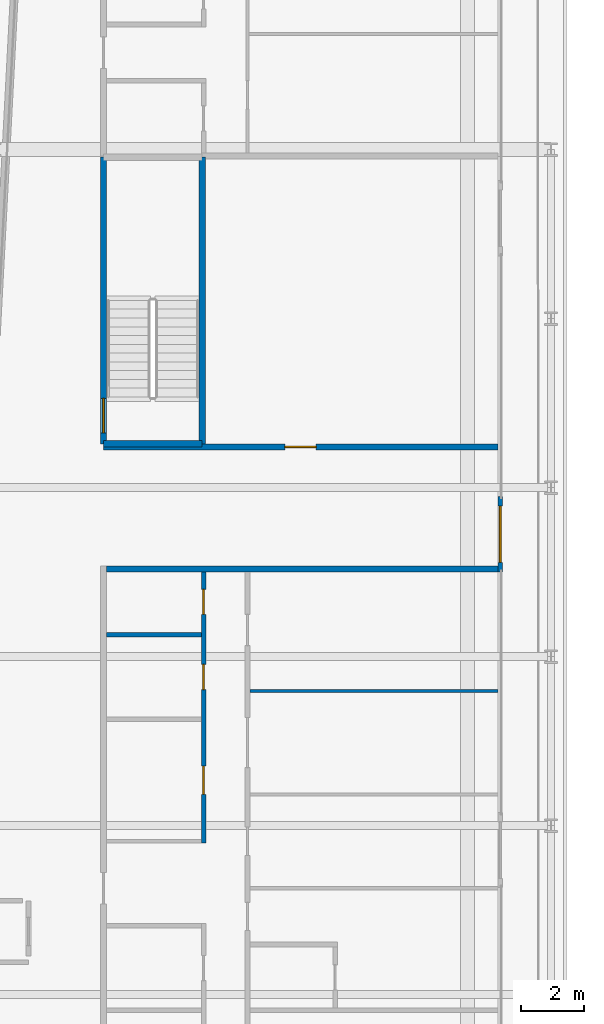
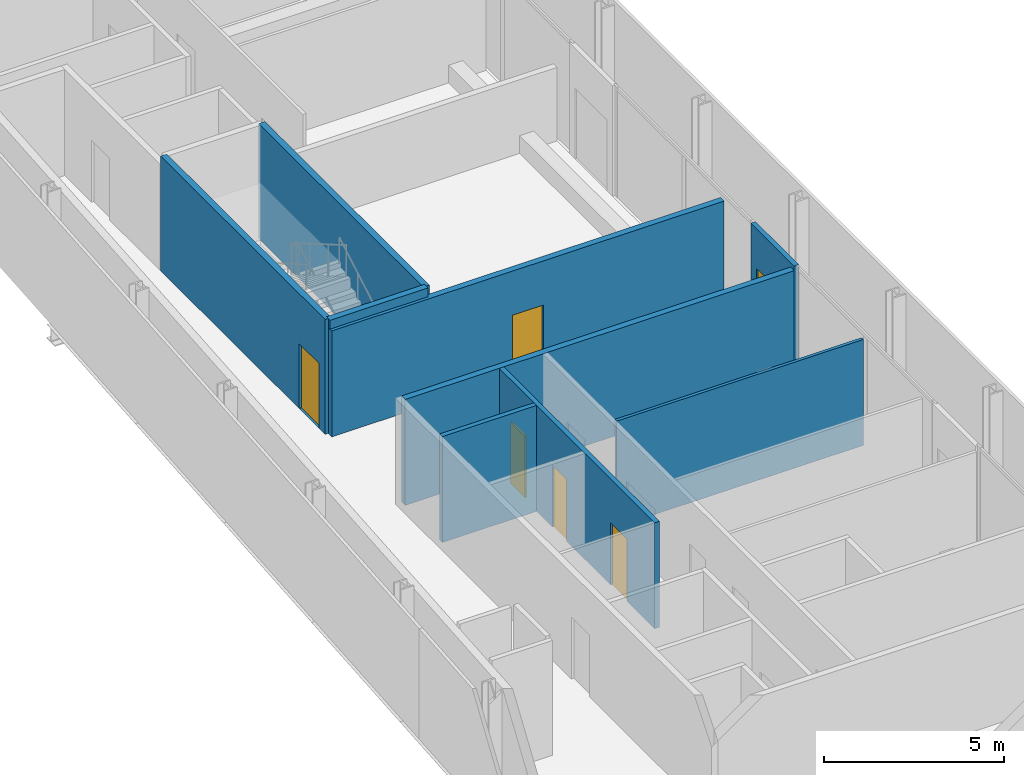
# One storey, part 19 of 29: 9 walls, 6 doors, 6 openings.
"""IFC4 building model written with IfcOpenShell, lengths in metres."""

from ifc_helpers import new_model, si_unit, direction, frame, frame_2d, origin, place, context, subcontext, project, spatial, rectangle, extrude, source, transform, mapped, material, layer, layer_set, type_object, element, fill, save


model = new_model("IFC4")

# Units and contexts
model_context = context("Model", 3, precision=1e-05, world=origin(), true_north=direction((0.0, 1.0)))
body_context = subcontext(model_context, "Body", "Model", "MODEL_VIEW")
ifc_project = project(units=[si_unit("LENGTHUNIT", "METRE"), si_unit("AREAUNIT", "SQUARE_METRE"), si_unit("VOLUMEUNIT", "CUBIC_METRE"), si_unit("PLANEANGLEUNIT", "RADIAN"), si_unit("MASSUNIT", "GRAM", prefix="KILO")], contexts=[model_context])

# Site, building, storey
site_placement = place(None, origin())
site = spatial("IfcSite", under=ifc_project, at=site_placement, CompositionType="ELEMENT")
building_placement = place(site_placement, origin())
building = spatial("IfcBuilding", under=site, at=building_placement, Name="Kheshtan School and Residences Tower", CompositionType="ELEMENT")
storey_placement = place(building_placement, frame((0.0, 0.0, 172.10009765625)))
storey = spatial("IfcBuildingStorey", under=building, at=storey_placement, Name="L40", CompositionType="ELEMENT", Elevation=172.10009765625)

# Wall, opening, door
ifc_material_1 = material(Name="Gypsum board on steel studs with fire boards", Category="steel")
ifc_layer_1 = layer(ifc_material_1, 0.199951171875)
ifc_layer_set_1 = layer_set([ifc_layer_1], Name="Corridor wall 200")
wall_type_1 = type_object("IfcWallType", Name="Corridor wall 200", PredefinedType="PARTITIONING", material=ifc_layer_set_1)
wall_1_placement = place(storey_placement, frame((33.300048828125, 79.300048828125, 0.0), z_axis=(0.0, 0.0, 1.0), x_axis=(1.0, 0.0, 0.0)))
wall_1 = element("IfcWall", 1, at=wall_1_placement, inside=storey, type_object=wall_type_1, Name="Partition L40-004", PredefinedType="PARTITIONING", context=body_context, shape_type="SweptSolid", body=[
    extrude(rectangle(XDim=12.599853515625, YDim=0.199951171875, at=frame_2d((6.2998046875, 0.0))), origin(), (0.0, 0.0, 1.0), 3.599853515625),
])
opening_1_placement = place(wall_1_placement, frame((5.794921875, 0.0, 0.0)))
opening_1 = element("IfcOpeningElement", 2, at=opening_1_placement, cuts=wall_1, Name="Opening D39-052", PredefinedType="OPENING", context=body_context, shape_type="SweptSolid", body=[
    extrude(rectangle(XDim=1.0, YDim=2.10009765625, at=frame_2d((0.5, 1.050048828125))), frame((0.0, 0.10986328125, 0.0), z_axis=(0.0, -1.0, 0.0), x_axis=(1.0, 0.0, 0.0)), (0.0, 0.0, 1.0), 0.219970703125),
])
ifc_material_2 = material(Name="Steel-framed fire-resisting door leaf", Category="steel")
door_type_1 = type_object("IfcDoorType", Name="Fire door FD60 1000 x 2100", OperationType="SINGLE_SWING_LEFT", PredefinedType="DOOR", material=ifc_material_2)
shared_shape_1 = source(origin(), body_context, "Body", "SweptSolid", [
    extrude(rectangle(XDim=1.0, YDim=2.10009765625, at=frame_2d((0.5, 1.050048828125))), frame((0.0, 0.02490234375, 0.0), z_axis=(0.0, -1.0, 0.0), x_axis=(1.0, 0.0, 0.0)), (0.0, 0.0, 1.0), 0.050048828125),
])
door_1_placement = place(opening_1_placement, origin())
door_1 = element("IfcDoor", 3, at=door_1_placement, inside=storey, type_object=door_type_1, Name="Door D39-052", OperationType="SINGLE_SWING_RIGHT", OverallHeight=2.10009765625, OverallWidth=1.0, PredefinedType="DOOR", context=body_context, shape_type="MappedRepresentation", body=[
    mapped(shared_shape_1, transform((0.0, 0.0, 0.0), x_axis=(1.0, 0.0, 0.0), y_axis=(0.0, 1.0, 0.0), z_axis=(0.0, 0.0, 1.0), scale=1.0)),
])
fill(opening_1, door_1)

# Wall
wall_2_placement = place(storey_placement, frame((33.39990234375, 75.39990234375, 0.0), z_axis=(0.0, 0.0, 1.0), x_axis=(1.0, 0.0, 0.0)))
element("IfcWall", 4, at=wall_2_placement, inside=storey, type_object=wall_type_1, Name="Partition L40-013", PredefinedType="PARTITIONING", context=body_context, shape_type="SweptSolid", body=[
    extrude(rectangle(XDim=12.5, YDim=0.199951171875, at=frame_2d((6.25, 0.0))), origin(), (0.0, 0.0, 1.0), 3.599853515625),
])

# Wall, opening, door
ifc_material_3 = material(Name="Aluminium frame wall with insulated infill", Category="aluminium")
ifc_layer_2 = layer(ifc_material_3, 0.14990234375)
ifc_layer_set_2 = layer_set([ifc_layer_2], Name="Glazing frame wall 150")
wall_type_2 = type_object("IfcWallType", Name="Glazing frame wall 150", PredefinedType="SOLIDWALL", material=ifc_layer_set_2)
wall_3_placement = place(storey_placement, frame((45.97509765625, 77.7119140625, 0.0), z_axis=(0.0, 0.0, 1.0), x_axis=(0.0, -1.0, 0.0)))
wall_3 = element("IfcWall", 5, at=wall_3_placement, inside=storey, type_object=wall_type_2, Name="Balcony door wall L40 8.3", PredefinedType="SOLIDWALL", context=body_context, shape_type="SweptSolid", body=[
    extrude(rectangle(XDim=2.39990234375, YDim=0.14990234375, at=frame_2d((1.199951171875, 0.0))), origin(), (0.0, 0.0, 1.0), 3.75),
])
opening_2_placement = place(wall_3_placement, frame((0.300048828125, 0.0, 0.0)))
opening_2 = element("IfcOpeningElement", 6, at=opening_2_placement, cuts=wall_3, Name="Opening BD", PredefinedType="OPENING", context=body_context, shape_type="SweptSolid", body=[
    extrude(rectangle(XDim=1.800048828125, YDim=2.39990234375, at=frame_2d((0.89990234375, 1.199951171875))), frame((0.0, 0.0849609375, 0.0), z_axis=(0.0, -1.0, 0.0), x_axis=(1.0, 0.0, 0.0)), (0.0, 0.0, 1.0), 0.169921875),
])
ifc_material_4 = material(Name="Clear low-e glass in thermally broken aluminium frame", Category="aluminium")
door_type_2 = type_object("IfcDoorType", Name="Balcony sliding door", OperationType="SLIDING_TO_LEFT", PredefinedType="DOOR", material=ifc_material_4)
shared_shape_2 = source(origin(), body_context, "Body", "SweptSolid", [
    extrude(rectangle(XDim=1.800048828125, YDim=2.39990234375, at=frame_2d((0.89990234375, 1.199951171875))), frame((0.0, 0.02490234375, 0.0), z_axis=(0.0, -1.0, 0.0), x_axis=(1.0, 0.0, 0.0)), (0.0, 0.0, 1.0), 0.050048828125),
])
door_2_placement = place(opening_2_placement, origin())
door_2 = element("IfcDoor", 7, at=door_2_placement, inside=storey, type_object=door_type_2, Name="Balcony door L40 8.3", OperationType="SLIDING_TO_LEFT", OverallHeight=2.39990234375, OverallWidth=1.800048828125, PredefinedType="DOOR", context=body_context, shape_type="MappedRepresentation", body=[
    mapped(shared_shape_2, transform((0.0, 0.0, 0.0), x_axis=(1.0, 0.0, 0.0), y_axis=(0.0, 1.0, 0.0), z_axis=(0.0, 0.0, 1.0), scale=1.0)),
])
fill(opening_2, door_2)

# Walls
ifc_material_5 = material(Name="Gypsum board on steel studs", Category="steel")
ifc_layer_3 = layer(ifc_material_5, 0.10009765625)
ifc_layer_set_3 = layer_set([ifc_layer_3], Name="Gypsum partition 100")
wall_type_3 = type_object("IfcWallType", Name="Gypsum partition 100", PredefinedType="PARTITIONING", material=ifc_layer_set_3)
wall_4_placement = place(storey_placement, frame((37.97509765625, 71.5, 0.0), z_axis=(0.0, 0.0, 1.0), x_axis=(1.0, 0.0, 0.0)))
element("IfcWall", 8, at=wall_4_placement, inside=storey, type_object=wall_type_3, Name="Partition L40-032", PredefinedType="PARTITIONING", context=body_context, shape_type="SweptSolid", body=[
    extrude(rectangle(XDim=7.9248046875, YDim=0.10009765625, at=frame_2d((3.96240234375, 0.0))), origin(), (0.0, 0.0, 1.0), 3.599853515625),
])
ifc_material_6 = material(Name="Concrete C40/50", Category="concrete")
ifc_layer_4 = layer(ifc_material_6, 0.199951171875)
ifc_layer_set_4 = layer_set([ifc_layer_4], Name="Stair enclosure wall 200 Concrete C40/50")
wall_type_4 = type_object("IfcWallType", Name="Stair enclosure wall 200 Concrete C40/50", PredefinedType="SHEAR", material=ifc_layer_set_4)
wall_5_placement = place(storey_placement, frame((33.300048828125, 79.39990234375, 0.0), z_axis=(0.0, 0.0, 1.0), x_axis=(1.0, 0.0, 0.0)))
element("IfcWall", 9, at=wall_5_placement, inside=storey, type_object=wall_type_4, Name="Stair enclosure wall ST3", PredefinedType="SHEAR", context=body_context, shape_type="SweptSolid", body=[
    extrude(rectangle(XDim=3.14990234375, YDim=0.199951171875, at=frame_2d((1.574951171875, 0.0))), origin(), (0.0, 0.0, 1.0), 3.89990234375),
])

# Wall, opening, door
wall_6_placement = place(storey_placement, frame((33.300048828125, 79.39990234375, 0.0), z_axis=(0.0, 0.0, 1.0), x_axis=(0.0, 1.0, 0.0)))
wall_6 = element("IfcWall", 10, at=wall_6_placement, inside=storey, type_object=wall_type_4, Name="Stair enclosure wall ST3", PredefinedType="SHEAR", context=body_context, shape_type="SweptSolid", body=[
    extrude(rectangle(XDim=9.16015625, YDim=0.199951171875, at=frame_2d((4.580078125, 0.0))), origin(), (0.0, 0.0, 1.0), 3.89990234375),
])
opening_3_placement = place(wall_6_placement, frame((0.35009765625, 0.0, 0.0)))
opening_3 = element("IfcOpeningElement", 11, at=opening_3_placement, cuts=wall_6, Name="Opening ST3D", PredefinedType="OPENING", context=body_context, shape_type="SweptSolid", body=[
    extrude(rectangle(XDim=1.10009765625, YDim=2.199951171875, at=frame_2d((0.550048828125, 1.10009765625))), frame((0.0, 0.10986328125, 0.0), z_axis=(0.0, -1.0, 0.0), x_axis=(1.0, 0.0, 0.0)), (0.0, 0.0, 1.0), 0.219970703125),
])
ifc_material_7 = material(Name="Steel door leaf, galvanised", Category="steel")
door_type_3 = type_object("IfcDoorType", Name="Stair door 1100 steel 90 min", OperationType="SINGLE_SWING_LEFT", PredefinedType="DOOR", material=ifc_material_7)
shared_shape_3 = source(origin(), body_context, "Body", "SweptSolid", [
    extrude(rectangle(XDim=1.10009765625, YDim=2.199951171875, at=frame_2d((0.550048828125, 1.10009765625))), frame((0.0, 0.02490234375, 0.0), z_axis=(0.0, -1.0, 0.0), x_axis=(1.0, 0.0, 0.0)), (0.0, 0.0, 1.0), 0.050048828125),
])
door_3_placement = place(opening_3_placement, origin())
door_3 = element("IfcDoor", 12, at=door_3_placement, inside=storey, type_object=door_type_3, Name="Stair ST3 door", OperationType="SINGLE_SWING_RIGHT", OverallHeight=2.199951171875, OverallWidth=1.10009765625, PredefinedType="DOOR", context=body_context, shape_type="MappedRepresentation", body=[
    mapped(shared_shape_3, transform((0.0, 0.0, 0.0), x_axis=(1.0, 0.0, 0.0), y_axis=(0.0, 1.0, 0.0), z_axis=(0.0, 0.0, 1.0), scale=1.0)),
])
fill(opening_3, door_3)

# Walls
wall_7_placement = place(storey_placement, frame((36.449951171875, 79.39990234375, 0.0), z_axis=(0.0, 0.0, 1.0), x_axis=(0.0, 1.0, 0.0)))
element("IfcWall", 13, at=wall_7_placement, inside=storey, type_object=wall_type_4, Name="Stair enclosure wall ST3", PredefinedType="SHEAR", context=body_context, shape_type="SweptSolid", body=[
    extrude(rectangle(XDim=9.16015625, YDim=0.199951171875, at=frame_2d((4.580078125, 0.0))), origin(), (0.0, 0.0, 1.0), 3.89990234375),
])
ifc_material_8 = material(Name="Moisture-resistant gypsum board on steel studs", Category="steel")
ifc_layer_5 = layer(ifc_material_8, 0.14990234375)
ifc_layer_set_5 = layer_set([ifc_layer_5], Name="Wet-room partition 150")
wall_type_5 = type_object("IfcWallType", Name="Wet-room partition 150", PredefinedType="PARTITIONING", material=ifc_layer_set_5)
wall_8_placement = place(storey_placement, frame((33.39990234375, 73.300048828125, 0.0), z_axis=(0.0, 0.0, 1.0), x_axis=(1.0, 0.0, 0.0)))
element("IfcWall", 14, at=wall_8_placement, inside=storey, type_object=wall_type_5, Name="Partition L40-012", PredefinedType="PARTITIONING", context=body_context, shape_type="SweptSolid", body=[
    extrude(rectangle(XDim=3.025146484375, YDim=0.14990234375, at=frame_2d((1.5126953125, 0.0))), origin(), (0.0, 0.0, 1.0), 3.599853515625),
])

# Wall, openings, doors
wall_9_placement = place(storey_placement, frame((36.5, 66.64990234375, 0.0), z_axis=(0.0, 0.0, 1.0), x_axis=(0.0, 1.0, 0.0)))
wall_9 = element("IfcWall", 15, at=wall_9_placement, inside=storey, type_object=wall_type_5, Name="Partition L40-022", PredefinedType="PARTITIONING", context=body_context, shape_type="SweptSolid", body=[
    extrude(rectangle(XDim=8.650146484375, YDim=0.14990234375, at=frame_2d((4.3251953125, 0.0))), origin(), (0.0, 0.0, 1.0), 3.599853515625),
])
opening_4_placement = place(wall_9_placement, frame((4.89990234375, 0.0, 0.0)))
opening_4 = element("IfcOpeningElement", 16, at=opening_4_placement, cuts=wall_9, Name="Opening D39-031", PredefinedType="OPENING", context=body_context, shape_type="SweptSolid", body=[
    extrude(rectangle(XDim=0.800048828125, YDim=2.10009765625, at=frame_2d((0.39990234375, 1.050048828125))), frame((0.0, 0.0849609375, 0.0), z_axis=(0.0, -1.0, 0.0), x_axis=(1.0, 0.0, 0.0)), (0.0, 0.0, 1.0), 0.169921875),
])
opening_5_placement = place(wall_9_placement, frame((1.550048828125, 0.0, 0.0)))
opening_5 = element("IfcOpeningElement", 17, at=opening_5_placement, cuts=wall_9, Name="Opening D39-036", PredefinedType="OPENING", context=body_context, shape_type="SweptSolid", body=[
    extrude(rectangle(XDim=0.89990234375, YDim=2.10009765625, at=frame_2d((0.449951171875, 1.050048828125))), frame((0.0, 0.0849609375, 0.0), z_axis=(0.0, -1.0, 0.0), x_axis=(1.0, 0.0, 0.0)), (0.0, 0.0, 1.0), 0.169921875),
])
opening_6_placement = place(wall_9_placement, frame((7.300048828125, 0.0, 0.0)))
opening_6 = element("IfcOpeningElement", 18, at=opening_6_placement, cuts=wall_9, Name="Opening D39-042", PredefinedType="OPENING", context=body_context, shape_type="SweptSolid", body=[
    extrude(rectangle(XDim=0.800048828125, YDim=2.10009765625, at=frame_2d((0.39990234375, 1.050048828125))), frame((0.0, 0.0849609375, 0.0), z_axis=(0.0, -1.0, 0.0), x_axis=(1.0, 0.0, 0.0)), (0.0, 0.0, 1.0), 0.169921875),
])
ifc_material_9 = material(Name="Veneered timber door leaf", Category="wood")
door_type_4 = type_object("IfcDoorType", Name="Door 800 x 2100", OperationType="SINGLE_SWING_LEFT", PredefinedType="DOOR", material=ifc_material_9)
shared_shape_4 = source(origin(), body_context, "Body", "SweptSolid", [
    extrude(rectangle(XDim=0.800048828125, YDim=2.10009765625, at=frame_2d((0.39990234375, 1.050048828125))), frame((0.0, 0.02490234375, 0.0), z_axis=(0.0, -1.0, 0.0), x_axis=(1.0, 0.0, 0.0)), (0.0, 0.0, 1.0), 0.050048828125),
])
door_4_placement = place(opening_4_placement, origin())
door_4 = element("IfcDoor", 19, at=door_4_placement, inside=storey, type_object=door_type_4, Name="Door D39-031", OperationType="SINGLE_SWING_LEFT", OverallHeight=2.10009765625, OverallWidth=0.800048828125, PredefinedType="DOOR", context=body_context, shape_type="MappedRepresentation", body=[
    mapped(shared_shape_4, transform((0.0, 0.0, 0.0), x_axis=(1.0, 0.0, 0.0), y_axis=(0.0, 1.0, 0.0), z_axis=(0.0, 0.0, 1.0), scale=1.0)),
])
fill(opening_4, door_4)
door_5_placement = place(opening_6_placement, origin())
door_5 = element("IfcDoor", 20, at=door_5_placement, inside=storey, type_object=door_type_4, Name="Door D39-042", OperationType="SINGLE_SWING_LEFT", OverallHeight=2.10009765625, OverallWidth=0.800048828125, PredefinedType="DOOR", context=body_context, shape_type="MappedRepresentation", body=[
    mapped(shared_shape_4, transform((0.0, 0.0, 0.0), x_axis=(1.0, 0.0, 0.0), y_axis=(0.0, 1.0, 0.0), z_axis=(0.0, 0.0, 1.0), scale=1.0)),
])
fill(opening_6, door_5)
door_type_5 = type_object("IfcDoorType", Name="Door 900 x 2100", OperationType="SINGLE_SWING_LEFT", PredefinedType="DOOR", material=ifc_material_9)
shared_shape_5 = source(origin(), body_context, "Body", "SweptSolid", [
    extrude(rectangle(XDim=0.89990234375, YDim=2.10009765625, at=frame_2d((0.449951171875, 1.050048828125))), frame((0.0, 0.02490234375, 0.0), z_axis=(0.0, -1.0, 0.0), x_axis=(1.0, 0.0, 0.0)), (0.0, 0.0, 1.0), 0.050048828125),
])
door_6_placement = place(opening_5_placement, origin())
door_6 = element("IfcDoor", 21, at=door_6_placement, inside=storey, type_object=door_type_5, Name="Door D39-036", OperationType="SINGLE_SWING_RIGHT", OverallHeight=2.10009765625, OverallWidth=0.89990234375, PredefinedType="DOOR", context=body_context, shape_type="MappedRepresentation", body=[
    mapped(shared_shape_5, transform((0.0, 0.0, 0.0), x_axis=(1.0, 0.0, 0.0), y_axis=(0.0, 1.0, 0.0), z_axis=(0.0, 0.0, 1.0), scale=1.0)),
])
fill(opening_5, door_6)

save(model, "model.ifc")
